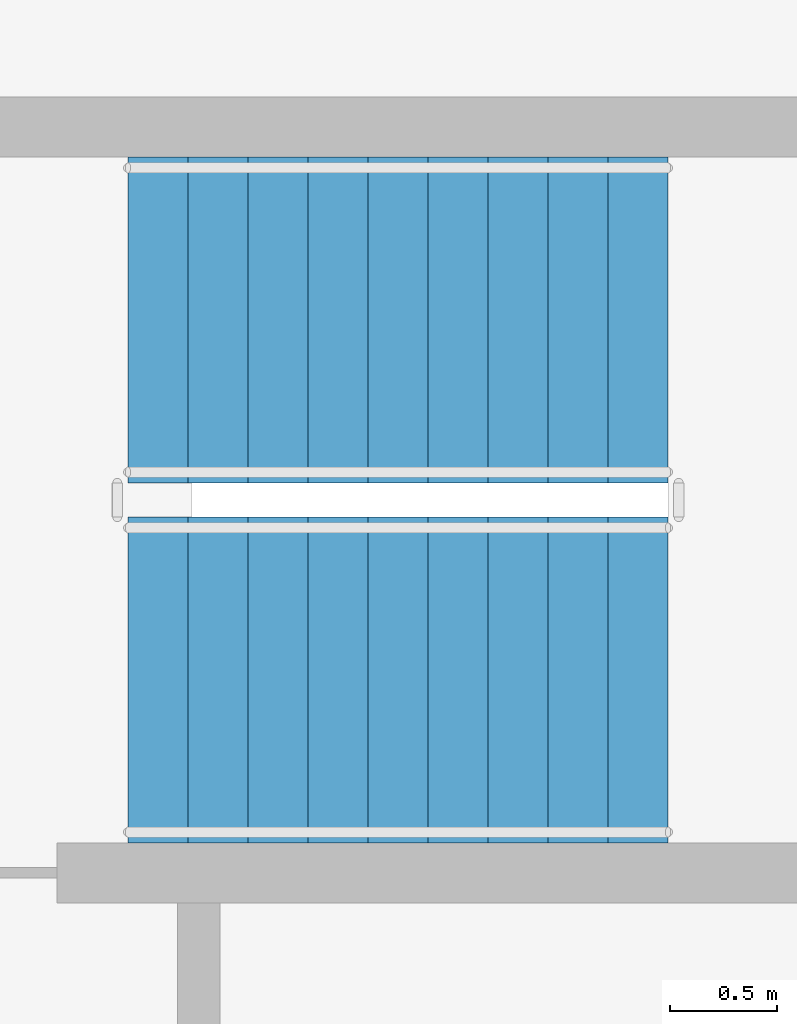
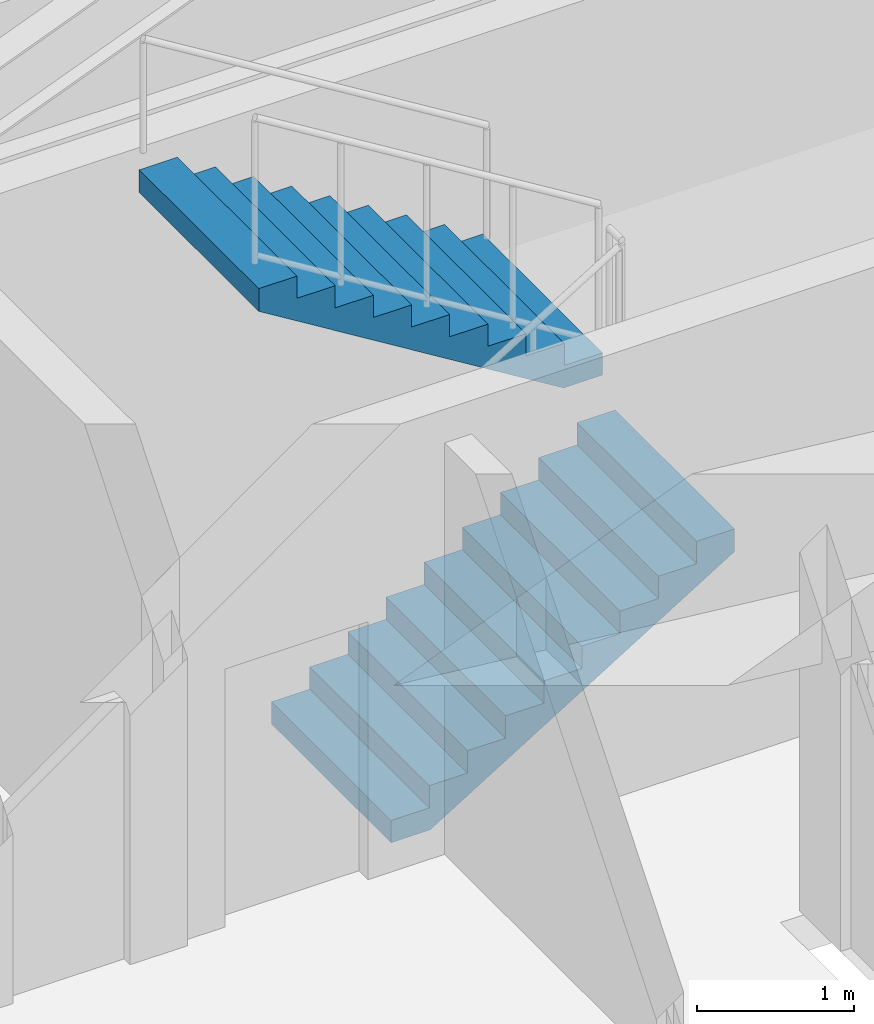
# One storey, part 9 of 11: 2 stair flights, 1 element without a shape of its own.
"""IFC4 building model written with IfcOpenShell, lengths in metres."""

from ifc_helpers import new_model, si_unit, direction, frame, origin, place, context, subcontext, project, spatial, polyline, outline, extrude, material, type_object, element, aggregate, save


model = new_model("IFC4")

# Units and contexts
model_context = context("Model", 3, precision=1e-05, world=origin(), true_north=direction((0.0, 1.0)))
body_context = subcontext(model_context, "Body", "Model", "MODEL_VIEW")
ifc_project = project(units=[si_unit("LENGTHUNIT", "METRE"), si_unit("AREAUNIT", "SQUARE_METRE"), si_unit("VOLUMEUNIT", "CUBIC_METRE"), si_unit("PLANEANGLEUNIT", "RADIAN"), si_unit("MASSUNIT", "GRAM", prefix="KILO"), si_unit("THERMODYNAMICTEMPERATUREUNIT", "KELVIN"), si_unit("POWERUNIT", "WATT")], contexts=[model_context])

# Site, building, storey
site_placement = place(None, origin())
site = spatial("IfcSite", under=ifc_project, at=site_placement, CompositionType="ELEMENT")
building_placement = place(site_placement, origin())
building = spatial("IfcBuilding", under=site, at=building_placement, Name="Skarre Station Tower", CompositionType="ELEMENT")
storey_placement = place(building_placement, frame((0.0, 0.0, 118.800048828125)))
storey = spatial("IfcBuildingStorey", under=building, at=storey_placement, Name="L31", CompositionType="ELEMENT", Elevation=118.800048828125)

# Stair, stair flights
ifc_material = material(Name="Concrete C40/50", Category="concrete")
stair_type = type_object("IfcStairType", Name="Reinforced Concrete Exit Stair ST-3", PredefinedType="HALF_TURN_STAIR", material=ifc_material)
stair_placement = place(storey_placement, origin())
stair = element("IfcStair", 1, at=stair_placement, inside=storey, type_object=stair_type, Name="L31 Core Exit Stair ST-3", PredefinedType="HALF_TURN_STAIR")
stair_flight_type = type_object("IfcStairFlightType", Name="Reinforced Concrete Stair Flight ST-3", PredefinedType="STRAIGHT", material=ifc_material)
stair_flight_1_placement = place(storey_placement, frame((23.35009765625, 32.260009765625, 0.0), z_axis=(0.0, 0.0, 1.0), x_axis=(1.0, 0.0, 0.0)))
stair_flight_1 = element("IfcStairFlight", 2, at=stair_flight_1_placement, type_object=stair_flight_type, Name="ST-3 flight 1", NumberOfRisers=10, NumberOfTreads=9, PredefinedType="STRAIGHT", RiserHeight=0.1725, TreadLength=0.28, context=body_context, shape_type="SweptSolid", body=[
    extrude(outline(polyline([(0.0, 0.0), (0.0, 0.172607421875), (0.280029296875, 0.172607421875), (0.280029296875, 0.344970703125), (0.56005859375, 0.344970703125), (0.56005859375, 0.517578125), (0.840087890625, 0.517578125), (0.840087890625, 0.68994140625), (1.1201171875, 0.68994140625), (1.1201171875, 0.862548828125), (1.39990234375, 0.862548828125), (1.39990234375, 1.034912109375), (1.679931640625, 1.034912109375), (1.679931640625, 1.20751953125), (1.9599609375, 1.20751953125), (1.9599609375, 1.3798828125), (2.239990234375, 1.3798828125), (2.239990234375, 1.552490234375), (2.52001953125, 1.552490234375), (2.52001953125, 1.72509765625), (2.52001953125, 1.37646484375), (0.285888671875, 0.0), (0.0, 0.0)])), frame((0.0, 0.760009765625, 0.0), z_axis=(0.0, -1.0, 0.0), x_axis=(1.0, 0.0, 0.0)), (0.0, 0.0, 1.0), 1.52001953125),
])
stair_flight_2_placement = place(storey_placement, frame((25.8701171875, 33.93994140625, 1.724853515625), z_axis=(0.0, 0.0, 1.0), x_axis=(-1.0, 0.0, 0.0)))
stair_flight_2 = element("IfcStairFlight", 3, at=stair_flight_2_placement, type_object=stair_flight_type, Name="ST-3 flight 2", NumberOfRisers=10, NumberOfTreads=9, PredefinedType="STRAIGHT", RiserHeight=0.1725, TreadLength=0.28, context=body_context, shape_type="SweptSolid", body=[
    extrude(outline(polyline([(0.0, 0.0), (0.0, 0.172607421875), (0.280029296875, 0.172607421875), (0.280029296875, 0.344970703125), (0.56005859375, 0.344970703125), (0.56005859375, 0.517578125), (0.840087890625, 0.517578125), (0.840087890625, 0.68994140625), (1.1201171875, 0.68994140625), (1.1201171875, 0.862548828125), (1.39990234375, 0.862548828125), (1.39990234375, 1.034912109375), (1.679931640625, 1.034912109375), (1.679931640625, 1.20751953125), (1.9599609375, 1.20751953125), (1.9599609375, 1.3798828125), (2.239990234375, 1.3798828125), (2.239990234375, 1.552490234375), (2.52001953125, 1.552490234375), (2.52001953125, 1.72509765625), (2.52001953125, 1.37646484375), (0.285888671875, 0.0), (0.0, 0.0)])), frame((0.0, 0.760009765625, 0.0), z_axis=(0.0, -1.0, 0.0), x_axis=(1.0, 0.0, 0.0)), (0.0, 0.0, 1.0), 1.52001953125),
])
aggregate(stair, [stair_flight_1, stair_flight_2])

save(model, "model.ifc")
